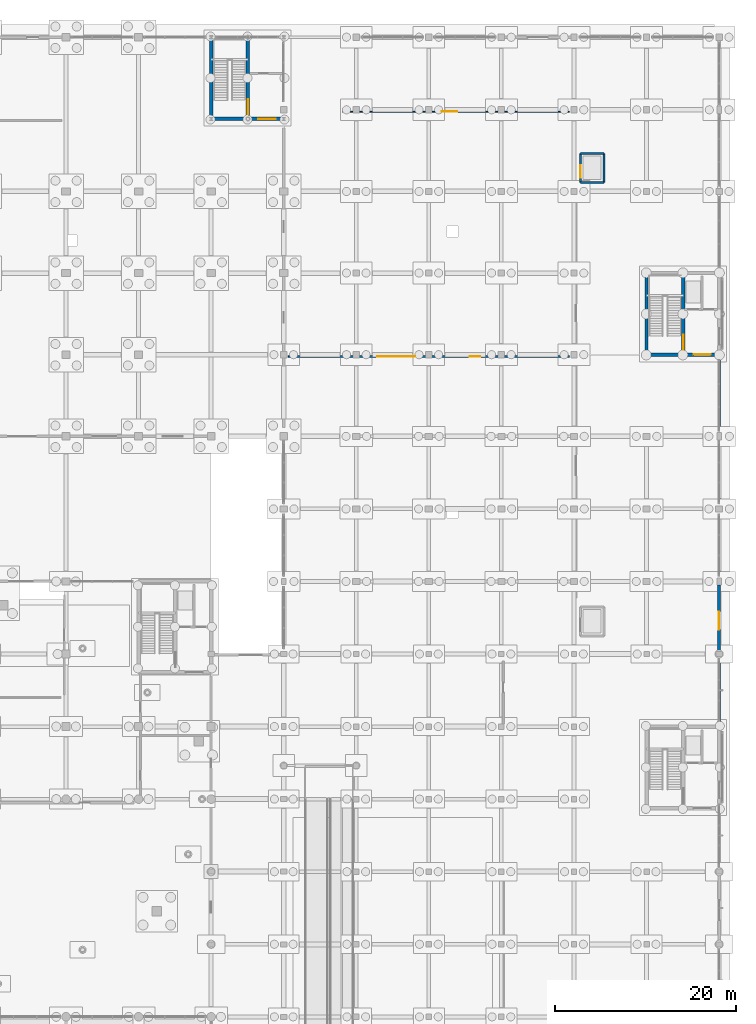
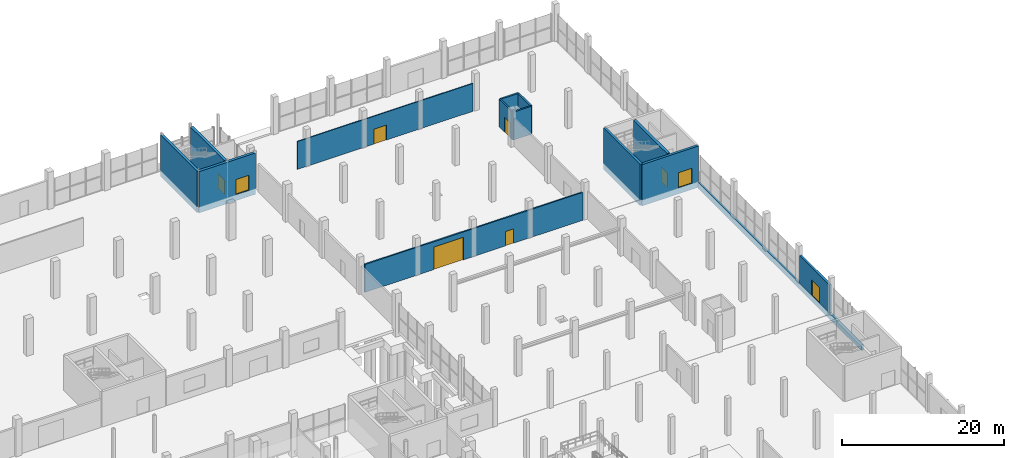
# One storey, part 81 of 98: 14 walls, 9 doors, 9 openings.
"""IFC4 building model written with IfcOpenShell, lengths in metres."""

from ifc_helpers import new_model, si_unit, derived_unit, direction, frame, frame_2d, origin, place, context, subcontext, project, spatial, rectangle, extrude, material, layer, layer_set, type_object, element, fill, save


model = new_model("IFC4")

# Units and contexts
model_context = context("Model", 3, precision=1e-05, world=origin(), true_north=direction((0.0, 1.0)))
body_context = subcontext(model_context, "Body", "Model", "MODEL_VIEW")
ifc_project = project(units=[si_unit("LENGTHUNIT", "METRE"), si_unit("AREAUNIT", "SQUARE_METRE"), si_unit("VOLUMEUNIT", "CUBIC_METRE"), si_unit("PLANEANGLEUNIT", "RADIAN"), si_unit("MASSUNIT", "GRAM", prefix="KILO"), si_unit("THERMODYNAMICTEMPERATUREUNIT", "KELVIN"), derived_unit("THERMALTRANSMITTANCEUNIT", [(si_unit("POWERUNIT", "WATT"), 1), (si_unit("AREAUNIT", "SQUARE_METRE"), -1), (si_unit("THERMODYNAMICTEMPERATUREUNIT", "KELVIN"), -1)])], contexts=[model_context])

# Site, building, storey
site_placement = place(None, origin())
site = spatial("IfcSite", under=ifc_project, at=site_placement, CompositionType="ELEMENT")
building_placement = place(site_placement, origin())
building = spatial("IfcBuilding", under=site, at=building_placement, Name="Haiyu Intermodal Mobility Hub", CompositionType="ELEMENT")
storey_placement = place(building_placement, origin())
storey = spatial("IfcBuildingStorey", under=building, at=storey_placement, Name="L00", CompositionType="ELEMENT", Elevation=0.0)

# Wall
ifc_material_1 = material(Name="Precast concrete C40", Category="concrete")
ifc_layer_1 = layer(ifc_material_1, 0.300048828125)
ifc_layer_set_1 = layer_set([ifc_layer_1], Name="Precast concrete C40")
wall_type_1 = type_object("IfcWallType", Name="WAL-WE01", PredefinedType="STANDARD", material=ifc_layer_set_1)
wall_1_placement = place(storey_placement, frame((210.0, 72.39990234375, -0.89990234375), z_axis=(0.0, 0.0, 1.0), x_axis=(0.0, 1.0, 0.0)))
element("IfcWall", 1, at=wall_1_placement, inside=storey, type_object=wall_type_1, Name="Flood Plinth Retaining Wall PLN-E1B", PredefinedType="STANDARD", context=body_context, shape_type="SweptSolid", body=[
    extrude(rectangle(XDim=40.2001953125, YDim=0.300048828125, at=frame_2d((20.10009765625, 0.0))), origin(), (0.0, 0.0, 1.0), 0.89990234375),
])

# Wall, opening, door
wall_2_placement = place(storey_placement, frame((210.0, 80.2548828125, 0.0), z_axis=(0.0, 0.0, 1.0), x_axis=(0.0, 1.0, 0.0)))
wall_2 = element("IfcWall", 2, at=wall_2_placement, inside=storey, type_object=wall_type_1, Name="WAL-V6E-158", PredefinedType="STANDARD", context=body_context, shape_type="SweptSolid", body=[
    extrude(rectangle(XDim=7.360107421875, YDim=0.300048828125, at=frame_2d((3.68017578125, 0.0))), origin(), (0.0, 0.0, 1.0), 4.199951171875),
])
opening_1_placement = place(wall_2_placement, frame((2.425048828125, 0.0, 0.0)))
opening_1 = element("IfcOpeningElement", 3, at=opening_1_placement, cuts=wall_2, Name="Opening DE03", PredefinedType="OPENING", context=body_context, shape_type="SweptSolid", body=[
    extrude(rectangle(XDim=2.0, YDim=2.300048828125, at=frame_2d((1.0, 1.14990234375))), frame((0.0, 0.16015625, 0.0), z_axis=(0.0, -1.0, 0.0), x_axis=(1.0, 0.0, 0.0)), (0.0, 0.0, 1.0), 0.320068359375),
])
ifc_material_2 = material(Name="Steel Q355C", Category="steel")
door_type_1 = type_object("IfcDoorType", Name="DR-DE03", OperationType="DOUBLE_DOOR_SINGLE_SWING", PredefinedType="DOOR", material=ifc_material_2)
door_1_placement = place(opening_1_placement, origin())
door_1 = element("IfcDoor", 4, at=door_1_placement, inside=storey, type_object=door_type_1, Name="WAL-V6E-158-DR01", OperationType="ROLLINGUP", OverallHeight=2.300048828125, OverallWidth=2.0, PredefinedType="DOOR", context=body_context, shape_type="SweptSolid", body=[
    extrude(rectangle(XDim=2.0, YDim=2.300048828125, at=frame_2d((1.0, 1.14990234375))), frame((0.0, 0.02490234375, 0.0), z_axis=(0.0, -1.0, 0.0), x_axis=(1.0, 0.0, 0.0)), (0.0, 0.0, 1.0), 0.050048828125),
])
fill(opening_1, door_1)

ifc_material_3 = material(Name="Autoclaved aerated concrete block A5.0", Category="concrete")
ifc_layer_2 = layer(ifc_material_3, 0.22998046875)
ifc_layer_set_2 = layer_set([ifc_layer_2], Name="Autoclaved aerated concrete block A5.0")
wall_type_2 = type_object("IfcWallType", Name="WAL-WI01", PredefinedType="PARTITIONING", material=ifc_layer_set_2)
wall_3_placement = place(storey_placement, frame((194.699951171875, 132.0, 0.0), z_axis=(0.0, 0.0, 1.0), x_axis=(0.0, 1.0, 0.0)))
wall_3 = element("IfcWall", 5, at=wall_3_placement, inside=storey, type_object=wall_type_2, Name="WAL-GL-02-W-L00", PredefinedType="PARTITIONING", context=body_context, shape_type="SweptSolid", body=[
    extrude(rectangle(XDim=3.199951171875, YDim=0.22998046875, at=frame_2d((1.60009765625, 0.0))), origin(), (0.0, 0.0, 1.0), 4.199951171875),
])
opening_2_placement = place(wall_3_placement, frame((0.5, 0.0, 0.0)))
opening_2 = element("IfcOpeningElement", 6, at=opening_2_placement, cuts=wall_3, Name="Opening LD03", PredefinedType="OPENING", context=body_context, shape_type="SweptSolid", body=[
    extrude(rectangle(XDim=1.39990234375, YDim=2.300048828125, at=frame_2d((0.699951171875, 1.14990234375))), frame((0.0, 0.125, 0.0), z_axis=(0.0, -1.0, 0.0), x_axis=(1.0, 0.0, 0.0)), (0.0, 0.0, 1.0), 0.25),
])
door_type_2 = type_object("IfcDoorType", Name="DR-LD03", OperationType="DOUBLE_DOOR_SLIDING", PredefinedType="DOOR", material=ifc_material_2)
door_2_placement = place(opening_2_placement, origin())
door_2 = element("IfcDoor", 7, at=door_2_placement, inside=storey, type_object=door_type_2, Name="Goods Lift GL-02 Sliding Door L00", OperationType="SLIDING_TO_RIGHT", OverallHeight=2.300048828125, OverallWidth=1.39990234375, PredefinedType="DOOR", context=body_context, shape_type="SweptSolid", body=[
    extrude(rectangle(XDim=1.39990234375, YDim=2.300048828125, at=frame_2d((0.699951171875, 1.14990234375))), frame((0.0, 0.02490234375, 0.0), z_axis=(0.0, -1.0, 0.0), x_axis=(1.0, 0.0, 0.0)), (0.0, 0.0, 1.0), 0.050048828125),
])
fill(opening_2, door_2)

# Walls
wall_4_placement = place(storey_placement, frame((194.699951171875, 135.199951171875, 0.0), z_axis=(0.0, 0.0, 1.0), x_axis=(1.0, 0.0, 0.0)))
element("IfcWall", 8, at=wall_4_placement, inside=storey, type_object=wall_type_2, Name="WAL-GL-02-N-L00", PredefinedType="PARTITIONING", context=body_context, shape_type="SweptSolid", body=[
    extrude(rectangle(XDim=2.60009765625, YDim=0.22998046875, at=frame_2d((1.300048828125, 0.0))), origin(), (0.0, 0.0, 1.0), 4.199951171875),
])
wall_5_placement = place(storey_placement, frame((197.300048828125, 135.199951171875, 0.0), z_axis=(0.0, 0.0, 1.0), x_axis=(0.0, -1.0, 0.0)))
element("IfcWall", 9, at=wall_5_placement, inside=storey, type_object=wall_type_2, Name="WAL-GL-02-E-L00", PredefinedType="PARTITIONING", context=body_context, shape_type="SweptSolid", body=[
    extrude(rectangle(XDim=3.199951171875, YDim=0.22998046875, at=frame_2d((1.60009765625, 0.0))), origin(), (0.0, 0.0, 1.0), 4.199951171875),
])
wall_6_placement = place(storey_placement, frame((197.300048828125, 132.0, 0.0), z_axis=(0.0, 0.0, 1.0), x_axis=(-1.0, 0.0, 0.0)))
element("IfcWall", 10, at=wall_6_placement, inside=storey, type_object=wall_type_2, Name="WAL-GL-02-S-L00", PredefinedType="PARTITIONING", context=body_context, shape_type="SweptSolid", body=[
    extrude(rectangle(XDim=2.60009765625, YDim=0.22998046875, at=frame_2d((1.300048828125, 0.0))), origin(), (0.0, 0.0, 1.0), 4.199951171875),
])

# Wall, openings, doors
ifc_layer_3 = layer(ifc_material_3, 0.199951171875)
ifc_layer_set_3 = layer_set([ifc_layer_3], Name="Autoclaved aerated concrete block A5.0")
wall_type_3 = type_object("IfcWallType", Name="WAL-WI02", PredefinedType="PARTITIONING", material=ifc_layer_set_3)
wall_7_placement = place(storey_placement, frame((162.5, 112.800048828125, 0.0), z_axis=(0.0, 0.0, 1.0), x_axis=(1.0, 0.0, 0.0)))
wall_7 = element("IfcWall", 11, at=wall_7_placement, inside=storey, type_object=wall_type_3, Name="WAL-INT-0021", PredefinedType="PARTITIONING", context=body_context, shape_type="SweptSolid", body=[
    extrude(rectangle(XDim=31.0, YDim=0.199951171875, at=frame_2d((15.5, 0.0))), origin(), (0.0, 0.0, 1.0), 4.199951171875),
])
opening_3_placement = place(wall_7_placement, frame((9.800048828125, 0.0, 0.0)))
opening_3 = element("IfcOpeningElement", 12, at=opening_3_placement, cuts=wall_7, Name="Opening DI14", PredefinedType="OPENING", context=body_context, shape_type="SweptSolid", body=[
    extrude(rectangle(XDim=4.199951171875, YDim=3.39990234375, at=frame_2d((2.10009765625, 1.699951171875))), frame((0.0, 0.10986328125, 0.0), z_axis=(0.0, -1.0, 0.0), x_axis=(1.0, 0.0, 0.0)), (0.0, 0.0, 1.0), 0.219970703125),
])
opening_4_placement = place(wall_7_placement, frame((20.0, 0.0, 0.0)))
opening_4 = element("IfcOpeningElement", 13, at=opening_4_placement, cuts=wall_7, Name="Opening DI05", PredefinedType="OPENING", context=body_context, shape_type="SweptSolid", body=[
    extrude(rectangle(XDim=1.14990234375, YDim=2.14990234375, at=frame_2d((0.574951171875, 1.074951171875))), frame((0.0, 0.10986328125, 0.0), z_axis=(0.0, -1.0, 0.0), x_axis=(1.0, 0.0, 0.0)), (0.0, 0.0, 1.0), 0.219970703125),
])
door_type_3 = type_object("IfcDoorType", Name="DR-DI05", OperationType="NOTDEFINED", PredefinedType="DOOR", material=ifc_material_2)
door_3_placement = place(opening_4_placement, origin())
door_3 = element("IfcDoor", 14, at=door_3_placement, inside=storey, type_object=door_type_3, Name="Workshop Pass Door", OperationType="SINGLE_SWING_LEFT", OverallHeight=2.14990234375, OverallWidth=1.14990234375, PredefinedType="DOOR", context=body_context, shape_type="SweptSolid", body=[
    extrude(rectangle(XDim=1.14990234375, YDim=2.14990234375, at=frame_2d((0.574951171875, 1.074951171875))), frame((0.0, 0.02490234375, 0.0), z_axis=(0.0, -1.0, 0.0), x_axis=(1.0, 0.0, 0.0)), (0.0, 0.0, 1.0), 0.050048828125),
])
fill(opening_4, door_3)
door_type_4 = type_object("IfcDoorType", Name="DR-DI14", OperationType="ROLLINGUP", PredefinedType="GATE", material=ifc_material_2)
door_4_placement = place(opening_3_placement, origin())
door_4 = element("IfcDoor", 15, at=door_4_placement, inside=storey, type_object=door_type_4, Name="Workshop Inspection Bay Shutter", OperationType="ROLLINGUP", OverallHeight=3.39990234375, OverallWidth=4.199951171875, PredefinedType="GATE", context=body_context, shape_type="SweptSolid", body=[
    extrude(rectangle(XDim=4.199951171875, YDim=3.39990234375, at=frame_2d((2.10009765625, 1.699951171875))), frame((0.0, 0.02490234375, 0.0), z_axis=(0.0, -1.0, 0.0), x_axis=(1.0, 0.0, 0.0)), (0.0, 0.0, 1.0), 0.050048828125),
])
fill(opening_3, door_4)

# Wall, opening, door
ifc_material_4 = material(Name="Fire-rated gypsum and rockwool partition", Category="gypsum")
ifc_layer_4 = layer(ifc_material_4, 0.1298828125)
ifc_layer_set_4 = layer_set([ifc_layer_4], Name="Fire-rated gypsum and rockwool partition")
wall_type_4 = type_object("IfcWallType", Name="WAL-WI05", PredefinedType="PARTITIONING", material=ifc_layer_set_4)
wall_8_placement = place(storey_placement, frame((168.5, 139.800048828125, 0.0), z_axis=(0.0, 0.0, 1.0), x_axis=(1.0, 0.0, 0.0)))
wall_8 = element("IfcWall", 16, at=wall_8_placement, inside=storey, type_object=wall_type_4, Name="WAL-INT-0023", PredefinedType="PARTITIONING", context=body_context, shape_type="SweptSolid", body=[
    extrude(rectangle(XDim=25.0, YDim=0.1298828125, at=frame_2d((12.5, 0.0))), origin(), (0.0, 0.0, 1.0), 4.199951171875),
])
opening_5_placement = place(wall_8_placement, frame((10.89990234375, 0.0, 0.0)))
opening_5 = element("IfcOpeningElement", 17, at=opening_5_placement, cuts=wall_8, Name="Opening DI09", PredefinedType="OPENING", context=body_context, shape_type="SweptSolid", body=[
    extrude(rectangle(XDim=1.75, YDim=2.25, at=frame_2d((0.875, 1.125))), frame((0.0, 0.074951171875, 0.0), z_axis=(0.0, -1.0, 0.0), x_axis=(1.0, 0.0, 0.0)), (0.0, 0.0, 1.0), 0.14990234375),
])
ifc_material_5 = material(Name="Anodised aluminium 6063-T6", Category="aluminium")
door_type_5 = type_object("IfcDoorType", Name="DR-DI09", OperationType="DOUBLE_DOOR_SINGLE_SWING", PredefinedType="DOOR", material=ifc_material_5)
door_5_placement = place(opening_5_placement, origin())
door_5 = element("IfcDoor", 18, at=door_5_placement, inside=storey, type_object=door_type_5, Name="Fire Pump Plant Room Door", OperationType="DOUBLE_SWING_LEFT", OverallHeight=2.25, OverallWidth=1.75, PredefinedType="DOOR", context=body_context, shape_type="SweptSolid", body=[
    extrude(rectangle(XDim=1.75, YDim=2.25, at=frame_2d((0.875, 1.125))), frame((0.0, 0.02490234375, 0.0), z_axis=(0.0, -1.0, 0.0), x_axis=(1.0, 0.0, 0.0)), (0.0, 0.0, 1.0), 0.050048828125),
])
fill(opening_5, door_5)

ifc_material_6 = material(Name="Concrete C40", Category="concrete")
ifc_layer_5 = layer(ifc_material_6, 0.35009765625)
ifc_layer_set_5 = layer_set([ifc_layer_5], Name="Concrete C40")
wall_type_5 = type_object("IfcWallType", Name="WAL-WS02", PredefinedType="SHEAR", material=ifc_layer_set_5)
wall_9_placement = place(storey_placement, frame((202.0, 113.0, -0.89990234375), z_axis=(0.0, 0.0, 1.0), x_axis=(1.0, 0.0, 0.0)))
wall_9 = element("IfcWall", 19, at=wall_9_placement, inside=storey, type_object=wall_type_5, Name="WAL-CORE-C10-S-L00", PredefinedType="SHEAR", context=body_context, shape_type="SweptSolid", body=[
    extrude(rectangle(XDim=8.0, YDim=0.35009765625, at=frame_2d((4.0, 0.0))), origin(), (0.0, 0.0, 1.0), 6.219970703125),
])
opening_6_placement = place(wall_9_placement, frame((5.199951171875, 0.0, 0.89990234375)))
opening_6 = element("IfcOpeningElement", 20, at=opening_6_placement, cuts=wall_9, Name="Opening DI01", PredefinedType="OPENING", context=body_context, shape_type="SweptSolid", body=[
    extrude(rectangle(XDim=1.89990234375, YDim=2.300048828125, at=frame_2d((0.949951171875, 1.14990234375))), frame((0.0, 0.18505859375, 0.0), z_axis=(0.0, -1.0, 0.0), x_axis=(1.0, 0.0, 0.0)), (0.0, 0.0, 1.0), 0.3701171875),
])
door_type_6 = type_object("IfcDoorType", Name="DR-DI01", OperationType="DOUBLE_DOOR_SINGLE_SWING", PredefinedType="DOOR", material=ifc_material_2)
door_6_placement = place(opening_6_placement, origin())
door_6 = element("IfcDoor", 21, at=door_6_placement, inside=storey, type_object=door_type_6, Name="Core C10 Lobby Fire Door L00", OperationType="SINGLE_SWING_RIGHT", OverallHeight=2.300048828125, OverallWidth=1.89990234375, PredefinedType="DOOR", context=body_context, shape_type="SweptSolid", body=[
    extrude(rectangle(XDim=1.89990234375, YDim=2.300048828125, at=frame_2d((0.949951171875, 1.14990234375))), frame((0.0, 0.02490234375, 0.0), z_axis=(0.0, -1.0, 0.0), x_axis=(1.0, 0.0, 0.0)), (0.0, 0.0, 1.0), 0.050048828125),
])
fill(opening_6, door_6)

# Wall
wall_10_placement = place(storey_placement, frame((202.0, 122.0, -0.89990234375), z_axis=(0.0, 0.0, 1.0), x_axis=(0.0, -1.0, 0.0)))
element("IfcWall", 22, at=wall_10_placement, inside=storey, type_object=wall_type_5, Name="WAL-CORE-C10-W-L00", PredefinedType="SHEAR", context=body_context, shape_type="SweptSolid", body=[
    extrude(rectangle(XDim=9.0, YDim=0.35009765625, at=frame_2d((4.5, 0.0))), origin(), (0.0, 0.0, 1.0), 6.219970703125),
])

# Wall, opening, door
ifc_layer_6 = layer(ifc_material_6, 0.3798828125)
ifc_layer_set_6 = layer_set([ifc_layer_6], Name="Concrete C40")
wall_type_6 = type_object("IfcWallType", Name="WAL-WS03", PredefinedType="SHEAR", material=ifc_layer_set_6)
wall_11_placement = place(storey_placement, frame((154.0, 139.0, -0.89990234375), z_axis=(0.0, 0.0, 1.0), x_axis=(1.0, 0.0, 0.0)))
wall_11 = element("IfcWall", 23, at=wall_11_placement, inside=storey, type_object=wall_type_6, Name="WAL-CORE-C4-S-L00", PredefinedType="SHEAR", context=body_context, shape_type="SweptSolid", body=[
    extrude(rectangle(XDim=8.0, YDim=0.3798828125, at=frame_2d((4.0, 0.0))), origin(), (0.0, 0.0, 1.0), 6.219970703125),
])
opening_7_placement = place(wall_11_placement, frame((5.199951171875, 0.0, 0.89990234375)))
opening_7 = element("IfcOpeningElement", 24, at=opening_7_placement, cuts=wall_11, Name="Opening DI01", PredefinedType="OPENING", context=body_context, shape_type="SweptSolid", body=[
    extrude(rectangle(XDim=1.89990234375, YDim=2.300048828125, at=frame_2d((0.949951171875, 1.14990234375))), frame((0.0, 0.199951171875, 0.0), z_axis=(0.0, -1.0, 0.0), x_axis=(1.0, 0.0, 0.0)), (0.0, 0.0, 1.0), 0.39990234375),
])
door_7_placement = place(opening_7_placement, origin())
door_7 = element("IfcDoor", 25, at=door_7_placement, inside=storey, type_object=door_type_6, Name="Core C4 Lobby Fire Door L00", OperationType="SINGLE_SWING_RIGHT", OverallHeight=2.300048828125, OverallWidth=1.89990234375, PredefinedType="DOOR", context=body_context, shape_type="SweptSolid", body=[
    extrude(rectangle(XDim=1.89990234375, YDim=2.300048828125, at=frame_2d((0.949951171875, 1.14990234375))), frame((0.0, 0.02490234375, 0.0), z_axis=(0.0, -1.0, 0.0), x_axis=(1.0, 0.0, 0.0)), (0.0, 0.0, 1.0), 0.050048828125),
])
fill(opening_7, door_7)

# Wall
wall_12_placement = place(storey_placement, frame((154.0, 148.0, -0.89990234375), z_axis=(0.0, 0.0, 1.0), x_axis=(0.0, -1.0, 0.0)))
element("IfcWall", 26, at=wall_12_placement, inside=storey, type_object=wall_type_6, Name="WAL-CORE-C4-W-L00", PredefinedType="SHEAR", context=body_context, shape_type="SweptSolid", body=[
    extrude(rectangle(XDim=9.0, YDim=0.3798828125, at=frame_2d((4.5, 0.0))), origin(), (0.0, 0.0, 1.0), 6.219970703125),
])

# Wall, opening, door
wall_13_placement = place(storey_placement, frame((158.050048828125, 139.35009765625, -0.89990234375), z_axis=(0.0, 0.0, 1.0), x_axis=(0.0, 1.0, 0.0)))
wall_13 = element("IfcWall", 27, at=wall_13_placement, inside=storey, type_object=wall_type_6, Name="WAL-CORE-C4-MID-L00", PredefinedType="SHEAR", context=body_context, shape_type="SweptSolid", body=[
    extrude(rectangle(XDim=8.2998046875, YDim=0.3798828125, at=frame_2d((4.14990234375, 0.0))), origin(), (0.0, 0.0, 1.0), 6.219970703125),
])
opening_8_placement = place(wall_13_placement, frame((0.179931640625, 0.0, 0.89990234375)))
opening_8 = element("IfcOpeningElement", 28, at=opening_8_placement, cuts=wall_13, Name="Opening DI02", PredefinedType="OPENING", context=body_context, shape_type="SweptSolid", body=[
    extrude(rectangle(XDim=1.64990234375, YDim=2.199951171875, at=frame_2d((0.824951171875, 1.10009765625))), frame((0.0, 0.199951171875, 0.0), z_axis=(0.0, -1.0, 0.0), x_axis=(1.0, 0.0, 0.0)), (0.0, 0.0, 1.0), 0.39990234375),
])
door_type_7 = type_object("IfcDoorType", Name="DR-DI02", OperationType="DOUBLE_DOOR_SINGLE_SWING", PredefinedType="DOOR", material=ifc_material_2)
door_8_placement = place(opening_8_placement, origin())
door_8 = element("IfcDoor", 29, at=door_8_placement, inside=storey, type_object=door_type_7, Name="Stair ST02 Fire Door L00", OperationType="SINGLE_SWING_RIGHT", OverallHeight=2.199951171875, OverallWidth=1.64990234375, PredefinedType="DOOR", context=body_context, shape_type="SweptSolid", body=[
    extrude(rectangle(XDim=1.64990234375, YDim=2.199951171875, at=frame_2d((0.824951171875, 1.10009765625))), frame((0.0, 0.02490234375, 0.0), z_axis=(0.0, -1.0, 0.0), x_axis=(1.0, 0.0, 0.0)), (0.0, 0.0, 1.0), 0.050048828125),
])
fill(opening_8, door_8)

wall_14_placement = place(storey_placement, frame((206.050048828125, 113.35009765625, -0.89990234375), z_axis=(0.0, 0.0, 1.0), x_axis=(0.0, 1.0, 0.0)))
wall_14 = element("IfcWall", 30, at=wall_14_placement, inside=storey, type_object=wall_type_6, Name="WAL-CORE-C10-MID-L00", PredefinedType="SHEAR", context=body_context, shape_type="SweptSolid", body=[
    extrude(rectangle(XDim=8.2998046875, YDim=0.3798828125, at=frame_2d((4.14990234375, 0.0))), origin(), (0.0, 0.0, 1.0), 6.219970703125),
])
opening_9_placement = place(wall_14_placement, frame((0.179931640625, 0.0, 0.89990234375)))
opening_9 = element("IfcOpeningElement", 31, at=opening_9_placement, cuts=wall_14, Name="Opening DI02", PredefinedType="OPENING", context=body_context, shape_type="SweptSolid", body=[
    extrude(rectangle(XDim=1.64990234375, YDim=2.199951171875, at=frame_2d((0.824951171875, 1.10009765625))), frame((0.0, 0.199951171875, 0.0), z_axis=(0.0, -1.0, 0.0), x_axis=(1.0, 0.0, 0.0)), (0.0, 0.0, 1.0), 0.39990234375),
])
door_9_placement = place(opening_9_placement, origin())
door_9 = element("IfcDoor", 32, at=door_9_placement, inside=storey, type_object=door_type_7, Name="Stair ST03 Fire Door L00", OperationType="SINGLE_SWING_RIGHT", OverallHeight=2.199951171875, OverallWidth=1.64990234375, PredefinedType="DOOR", context=body_context, shape_type="SweptSolid", body=[
    extrude(rectangle(XDim=1.64990234375, YDim=2.199951171875, at=frame_2d((0.824951171875, 1.10009765625))), frame((0.0, 0.02490234375, 0.0), z_axis=(0.0, -1.0, 0.0), x_axis=(1.0, 0.0, 0.0)), (0.0, 0.0, 1.0), 0.050048828125),
])
fill(opening_9, door_9)

save(model, "model.ifc")
